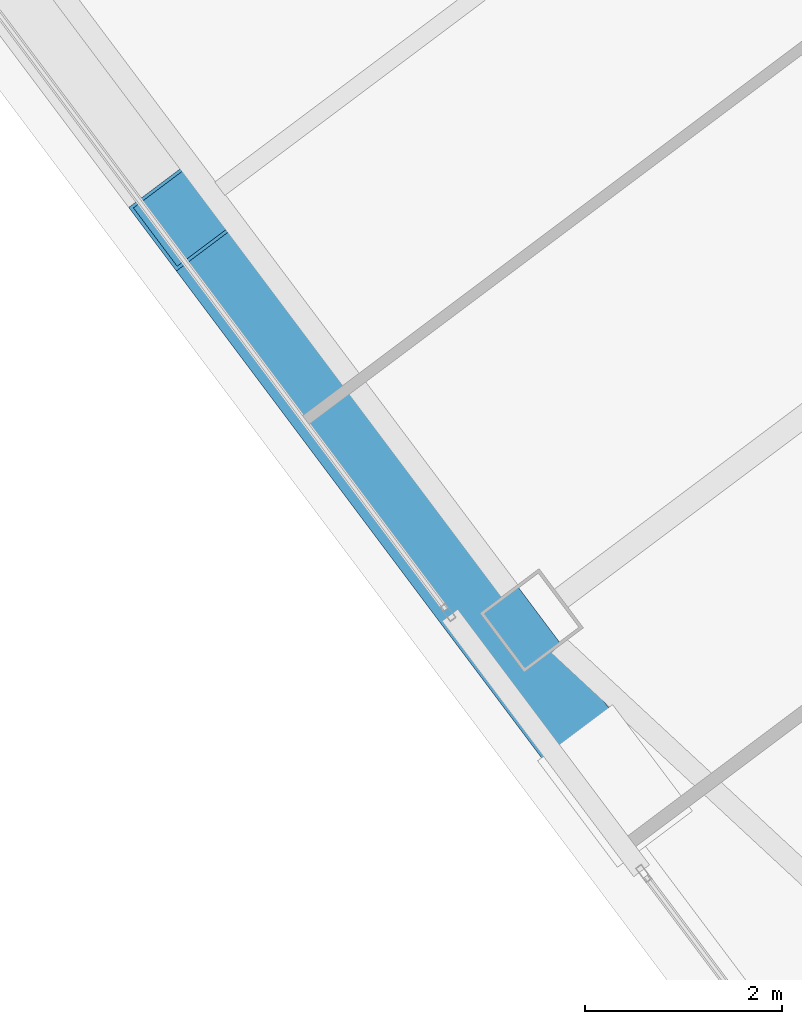
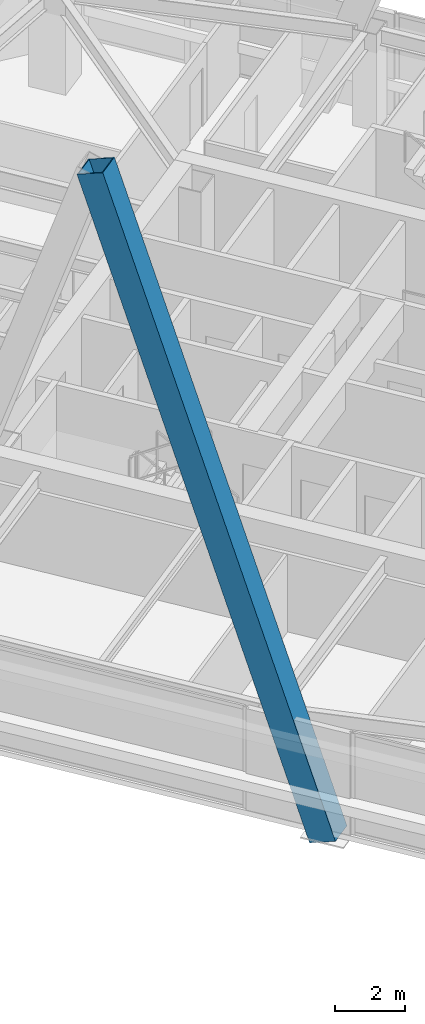
# One storey, part 22 of 55: 1 member.
"""IFC4 building model written with IfcOpenShell, lengths in metres."""

from ifc_helpers import new_model, si_unit, direction, frame, origin, origin_2d, place, context, subcontext, project, spatial, hollow_rectangle, extrude, material, material_profile, profile_set, type_object, element, save


model = new_model("IFC4")

# Units and contexts
model_context = context("Model", 3, precision=1e-05, world=origin(), true_north=direction((0.0, 1.0)))
body_context = subcontext(model_context, "Body", "Model", "MODEL_VIEW")
ifc_project = project(units=[si_unit("LENGTHUNIT", "METRE"), si_unit("AREAUNIT", "SQUARE_METRE"), si_unit("VOLUMEUNIT", "CUBIC_METRE"), si_unit("PLANEANGLEUNIT", "RADIAN"), si_unit("MASSUNIT", "GRAM", prefix="KILO")], contexts=[model_context])

# Site, building, storey
site_placement = place(None, origin())
site = spatial("IfcSite", under=ifc_project, at=site_placement, CompositionType="ELEMENT")
building_placement = place(site_placement, origin())
building = spatial("IfcBuilding", under=site, at=building_placement, Name="Tashvorn Skyway Center", CompositionType="ELEMENT")
storey_placement = place(building_placement, frame((0.0, 0.0, 178.300048828125)))
storey = spatial("IfcBuildingStorey", under=building, at=storey_placement, Name="L48", CompositionType="ELEMENT", Elevation=178.300048828125)

# Member
ifc_material = material(Name="Steel ASTM A572 Grade 50", Category="steel")
ifc_material_profile = material_profile(ifc_material, hollow_rectangle(XDim=0.85009765625, YDim=0.85009765625, WallThickness=0.034912109375, at=origin_2d()), Name="BOX850x850x35")
ifc_profile_set = profile_set([ifc_material_profile], Name="Steel ASTM A572 Grade 50")
member_type = type_object("IfcMemberType", Name="MEM-MB-850", PredefinedType="BRACE", material=ifc_profile_set)
member_placement = place(storey_placement, frame((105.166015625, 16.31201171875, -0.449951171875), z_axis=(-0.192527485375, 0.256699712092, 0.947121124876), x_axis=(-0.799995959088, -0.600005387845, 0.0)))
element("IfcMember", 1, at=member_placement, inside=storey, type_object=member_type, Name="Tower 2 Zone 4 W Chevron Mega-Brace R2", PredefinedType="BRACE", context=body_context, shape_type="SweptSolid", body=[
    extrude(hollow_rectangle(XDim=0.85009765625, YDim=0.85009765625, WallThickness=0.034912109375, at=origin_2d()), origin(), (0.0, 0.0, 1.0), 22.5947265625),
])

save(model, "model.ifc")
